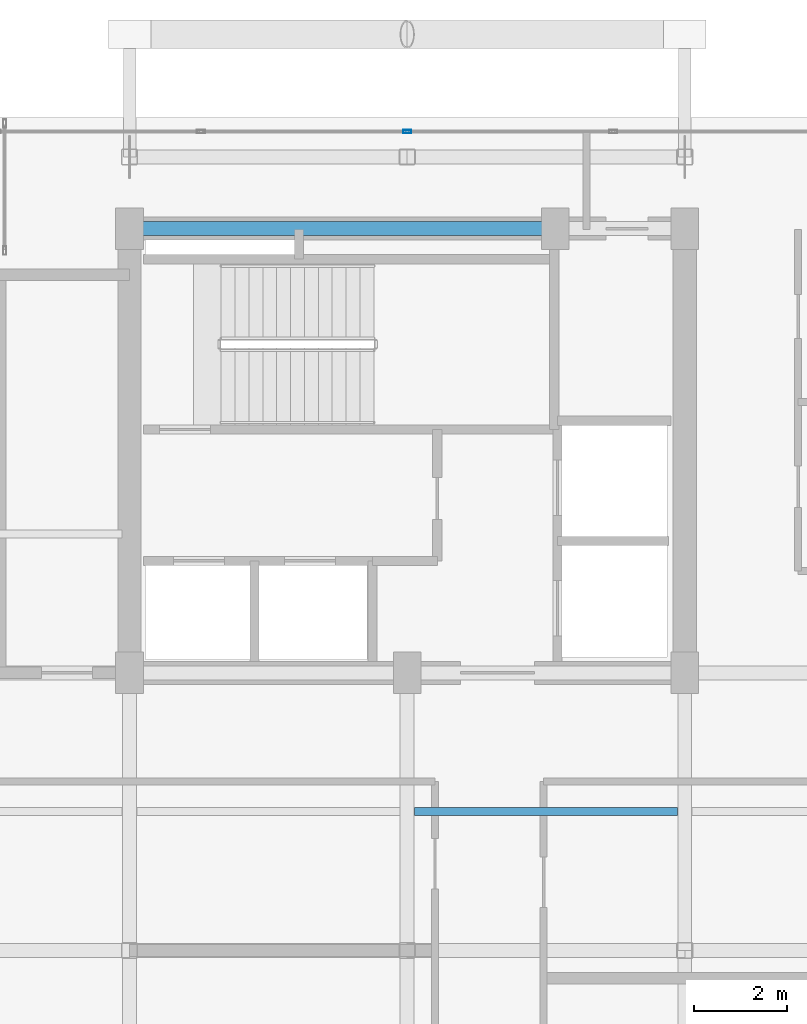
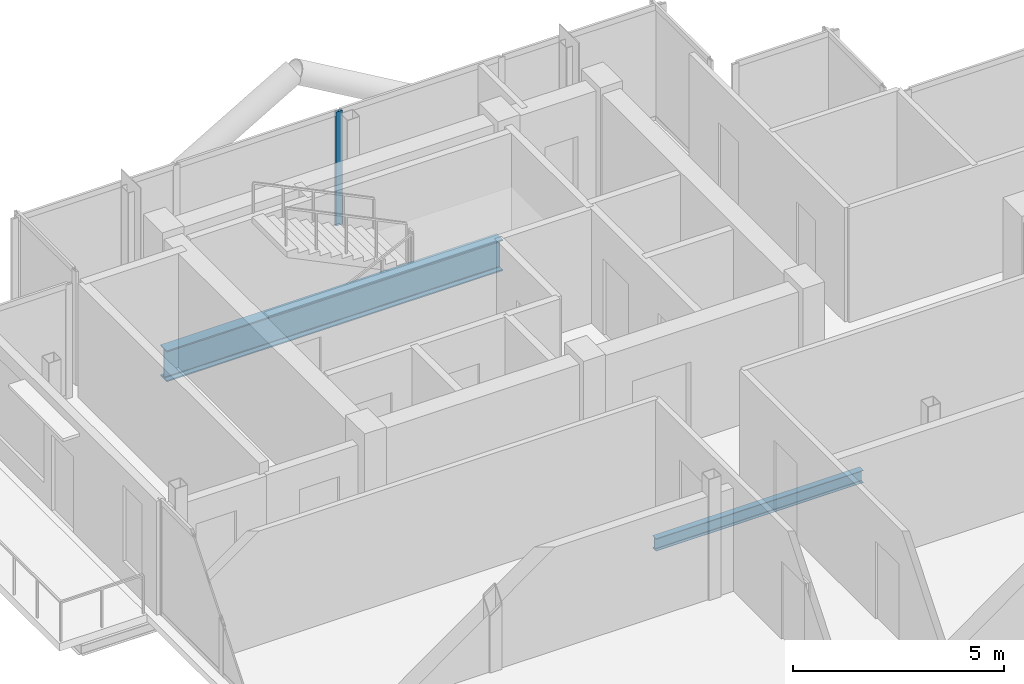
# One storey, part 9 of 19: 2 beams, 1 member, 1 element without a shape of its own.
"""IFC4 building model written with IfcOpenShell, lengths in metres."""

from ifc_helpers import new_model, si_unit, direction, frame, origin, origin_2d, place, context, subcontext, project, spatial, hollow_rectangle, i_section, extrude, material, layer, layer_set, material_profile, profile_set, type_object, element, aggregate, save


model = new_model("IFC4")

# Units and contexts
model_context = context("Model", 3, precision=1e-05, world=origin(), true_north=direction((0.0, 1.0)))
body_context = subcontext(model_context, "Body", "Model", "MODEL_VIEW")
ifc_project = project(units=[si_unit("LENGTHUNIT", "METRE"), si_unit("AREAUNIT", "SQUARE_METRE"), si_unit("VOLUMEUNIT", "CUBIC_METRE"), si_unit("PLANEANGLEUNIT", "RADIAN"), si_unit("MASSUNIT", "GRAM", prefix="KILO"), si_unit("THERMODYNAMICTEMPERATUREUNIT", "KELVIN"), si_unit("POWERUNIT", "WATT")], contexts=[model_context])

# Site, building, storey
site_placement = place(None, origin())
site = spatial("IfcSite", under=ifc_project, at=site_placement, CompositionType="ELEMENT")
building_placement = place(site_placement, origin())
building = spatial("IfcBuilding", under=site, at=building_placement, Name="Svarakhadi Broadcast Tower", CompositionType="ELEMENT")
storey_placement = place(building_placement, frame((0.0, 0.0, 285.199951171875)))
storey = spatial("IfcBuildingStorey", under=building, at=storey_placement, Name="L72", CompositionType="ELEMENT", Elevation=285.199951171875)

# Beam
ifc_material_1 = material(Name="Steel S355J2 (IS 2062 E350C)", Category="steel")
ifc_material_profile_1 = material_profile(ifc_material_1, i_section(OverallWidth=0.169921875, OverallDepth=0.360107421875, WebThickness=0.008056640625, FlangeThickness=0.0126953125, FilletRadius=0.01806640625, at=origin_2d()), Name="NPB 360x170x57")
ifc_profile_set_1 = profile_set([ifc_material_profile_1], Name="Steel S355J2 (IS 2062 E350C)")
beam_type_1 = type_object("IfcBeamType", Name="Beam_NPB360", PredefinedType="BEAM", material=ifc_profile_set_1)
beam_1_placement = place(storey_placement, frame((12.159912109375, 15.0, -0.3798828125), z_axis=(1.0, 0.0, 0.0), x_axis=(0.0, 1.0, 0.0)))
element("IfcBeam", 1, at=beam_1_placement, inside=storey, type_object=beam_type_1, Name="L72 Secondary Composite Beam SB009", PredefinedType="BEAM", context=body_context, shape_type="SweptSolid", body=[
    extrude(i_section(OverallWidth=0.169921875, OverallDepth=0.360107421875, WebThickness=0.008056640625, FlangeThickness=0.0126953125, FilletRadius=0.01806640625, at=origin_2d()), origin(), (0.0, 0.0, 1.0), 5.68017578125),
])

# Curtain wall, member
ifc_material_2 = material(Name="Anodised Bronze Aluminium AA 6063-T6", Category="aluminium")
ifc_layer = layer(ifc_material_2, 0.179931640625)
ifc_layer_set = layer_set([ifc_layer], Name="Anodised Bronze Aluminium AA 6063-T6")
curtain_wall_type = type_object("IfcCurtainWallType", Name="CW_Sys_05", PredefinedType="NOTDEFINED", material=ifc_layer_set)
curtain_wall_placement = place(storey_placement, origin())
curtain_wall = element("IfcCurtainWall", 2, at=curtain_wall_placement, inside=storey, type_object=curtain_wall_type, Name="L72 Unitised Facade Curtain Wall 05", PredefinedType="NOTDEFINED")
ifc_material_profile_2 = material_profile(ifc_material_2, hollow_rectangle(XDim=0.070068359375, YDim=0.179931640625, WallThickness=0.005615234375, at=origin_2d()), Name="ALU MULLION 180x70x6")
ifc_profile_set_2 = profile_set([ifc_material_profile_2], Name="Anodised Bronze Aluminium AA 6063-T6")
member_type = type_object("IfcMemberType", Name="CW_Sys_05_Mul", PredefinedType="MULLION", material=ifc_profile_set_2)
member_placement = place(storey_placement, frame((12.0, 29.699951171875, 0.0), z_axis=(0.0, 0.0, 1.0), x_axis=(0.0, 1.0, 0.0)))
member = element("IfcMember", 3, at=member_placement, type_object=member_type, Name="CW-05 mullion 3", PredefinedType="MULLION", context=body_context, shape_type="SweptSolid", body=[
    extrude(hollow_rectangle(XDim=0.070068359375, YDim=0.179931640625, WallThickness=0.005615234375, at=origin_2d()), origin(), (0.0, 0.0, 1.0), 3.300048828125),
])
aggregate(curtain_wall, [member])

# Beam
ifc_material_3 = material(Name="Steel S460ML (IS 2062 E450BR)", Category="steel")
ifc_material_profile_3 = material_profile(ifc_material_3, i_section(OverallWidth=0.300048828125, OverallDepth=0.89990234375, WebThickness=0.0185546875, FlangeThickness=0.034912109375, FilletRadius=0.030029296875, at=origin_2d()), Name="WPB 900x300x291")
ifc_profile_set_3 = profile_set([ifc_material_profile_3], Name="Steel S460ML (IS 2062 E450BR)")
beam_type_2 = type_object("IfcBeamType", Name="Girder_WPB900", PredefinedType="USERDEFINED", material=ifc_profile_set_3)
beam_2_placement = place(storey_placement, frame((6.0, 27.60009765625, -0.64990234375), z_axis=(1.0, 0.0, 0.0), x_axis=(0.0, 1.0, 0.0)))
element("IfcBeam", 4, at=beam_2_placement, inside=storey, type_object=beam_type_2, Name="L72 Primary E-W Girder G022", ObjectType="GIRDER", PredefinedType="USERDEFINED", context=body_context, shape_type="SweptSolid", body=[
    extrude(i_section(OverallWidth=0.300048828125, OverallDepth=0.89990234375, WebThickness=0.0185546875, FlangeThickness=0.034912109375, FilletRadius=0.030029296875, at=origin_2d()), origin(), (0.0, 0.0, 1.0), 9.199951171875),
])

save(model, "model.ifc")
